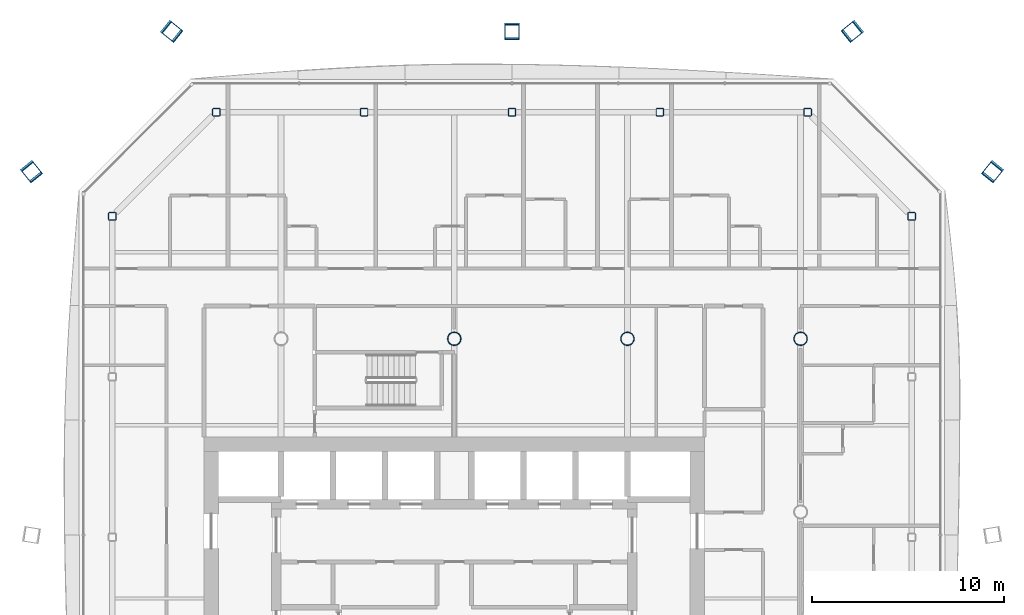
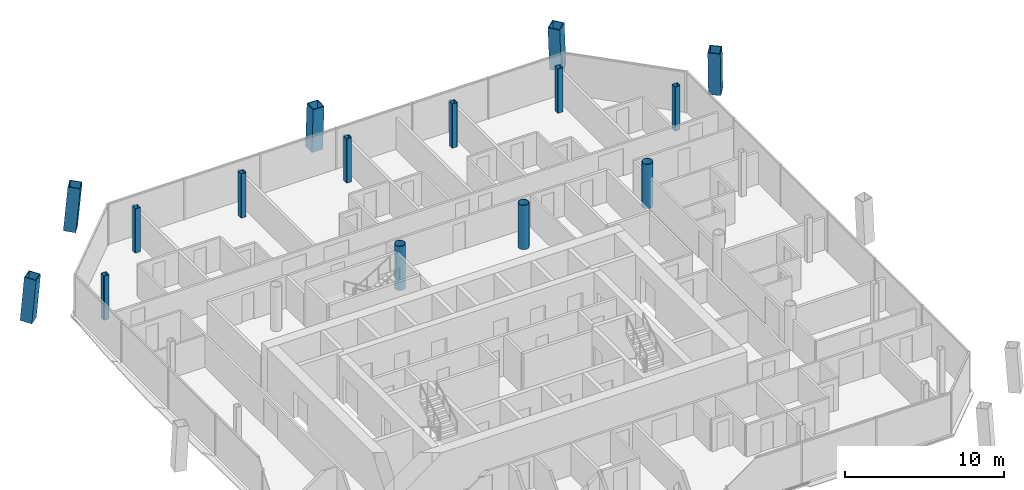
# One storey, part 3 of 21: 15 columns.
"""IFC4 building model written with IfcOpenShell, lengths in metres."""

from ifc_helpers import new_model, si_unit, direction, frame, origin, origin_2d, place, context, subcontext, project, spatial, hollow_rectangle, hollow_circle, extrude, material, material_profile, profile_set, type_object, element, save


model = new_model("IFC4")

# Units and contexts
model_context = context("Model", 3, precision=1e-05, world=origin(), true_north=direction((0.0, 1.0)))
body_context = subcontext(model_context, "Body", "Model", "MODEL_VIEW")
ifc_project = project(units=[si_unit("LENGTHUNIT", "METRE"), si_unit("AREAUNIT", "SQUARE_METRE"), si_unit("VOLUMEUNIT", "CUBIC_METRE"), si_unit("PLANEANGLEUNIT", "RADIAN"), si_unit("MASSUNIT", "GRAM", prefix="KILO")], contexts=[model_context])

# Site, building, storey
site_placement = place(None, origin())
site = spatial("IfcSite", under=ifc_project, at=site_placement, CompositionType="ELEMENT")
building_placement = place(site_placement, origin())
building = spatial("IfcBuilding", under=site, at=building_placement, Name="Tskaro Facet Tower", CompositionType="ELEMENT")
storey_placement = place(building_placement, frame((0.0, 0.0, 148.699951171875)))
storey = spatial("IfcBuildingStorey", under=building, at=storey_placement, Name="L36", CompositionType="ELEMENT", Elevation=148.699951171875)

# Columns
ifc_material_1 = material(Name="Steel S460M", Category="steel")
ifc_material_profile_1 = material_profile(ifc_material_1, hollow_rectangle(XDim=0.800048828125, YDim=0.800048828125, WallThickness=0.050048828125, at=origin_2d()), Name="BOX 800x800x50")
ifc_profile_set_1 = profile_set([ifc_material_profile_1], Name="Steel S460M")
column_type_1 = type_object("IfcColumnType", Name="BOX 800x800x50 mega column", PredefinedType="COLUMN", material=ifc_profile_set_1)
for number, where, z_axis, x_axis, name in (
    (1, (28.006103515625, 17.72509765625, 0.0), (-0.053370832258, -0.066248512963, 0.996374773263), (0.778731084135, -0.627357871236, 0.0), "BOX 800x800x50 MC06/3"),
    (2, (20.72509765625, 25.006103515625, 0.0), (-0.066248512963, -0.053370832258, 0.996374773263), (0.627357871236, -0.778731084135, 0.0), "BOX 800x800x50 MC07/3"),
):
    element("IfcColumn", number, at=place(storey_placement, frame(where, z_axis=z_axis, x_axis=x_axis)), inside=storey, type_object=column_type_1, Name=name, PredefinedType="COLUMN", context=body_context, shape_type="SweptSolid", body=[
        extrude(hollow_rectangle(XDim=0.800048828125, YDim=0.800048828125, WallThickness=0.050048828125, at=origin_2d()), origin(), (0.0, 0.0, 1.0), 3.41259765625),
    ])
column_placement = place(storey_placement, frame((3.0, 25.006103515625, 0.0), z_axis=(0.0, -0.053488337888, 0.998568474222), x_axis=(1.0, 0.0, 0.0)))
element("IfcColumn", 3, at=column_placement, inside=storey, type_object=column_type_1, Name="BOX 800x800x50 MC08/3", PredefinedType="COLUMN", context=body_context, shape_type="SweptSolid", body=[
    extrude(hollow_rectangle(XDim=0.800048828125, YDim=0.800048828125, WallThickness=0.050048828125, at=origin_2d()), origin(), (0.0, 0.0, 1.0), 3.405029296875),
])
for number, where, z_axis, x_axis, name in (
    (4, (-14.72509765625, 25.006103515625, 0.0), (0.066248512963, -0.053370832258, 0.996374773263), (0.627357871236, 0.778731084135, 0.0), "BOX 800x800x50 MC09/3"),
    (5, (-22.006103515625, 17.72509765625, 0.0), (0.053370832258, -0.066248512963, 0.996374773263), (0.778731084135, 0.627357871236, 0.0), "BOX 800x800x50 MC10/3"),
):
    element("IfcColumn", number, at=place(storey_placement, frame(where, z_axis=z_axis, x_axis=x_axis)), inside=storey, type_object=column_type_1, Name=name, PredefinedType="COLUMN", context=body_context, shape_type="SweptSolid", body=[
        extrude(hollow_rectangle(XDim=0.800048828125, YDim=0.800048828125, WallThickness=0.050048828125, at=origin_2d()), origin(), (0.0, 0.0, 1.0), 3.41259765625),
    ])
ifc_material_2 = material(Name="Steel S355J2H", Category="steel")
ifc_material_profile_2 = material_profile(ifc_material_2, hollow_circle(Radius=0.35546875, WallThickness=0.031982421875, at=origin_2d()), Name="CHS 711x32")
ifc_profile_set_2 = profile_set([ifc_material_profile_2], Name="Steel S355J2H")
column_type_2 = type_object("IfcColumnType", Name="CHS 711x32 interior column", PredefinedType="COLUMN", material=ifc_profile_set_2)
for number, where, z_axis, x_axis, name in (
    (6, (0.0, 9.0, 0.0), (0.0, 0.0, 1.0), (1.0, 0.0, 0.0), "CHS 711x32 C4E/3"),
    (7, (9.0, 9.0, 0.0), (0.0, 0.0, 1.0), (1.0, 0.0, 0.0), "CHS 711x32 C5E/3"),
    (8, (18.0, 9.0, 0.0), (0.0, 0.0, 1.0), (1.0, 0.0, 0.0), "CHS 711x32 C6E/3"),
):
    element("IfcColumn", number, at=place(storey_placement, frame(where, z_axis=z_axis, x_axis=x_axis)), inside=storey, type_object=column_type_2, Name=name, PredefinedType="COLUMN", context=body_context, shape_type="SweptSolid", body=[
        extrude(hollow_circle(Radius=0.35546875, WallThickness=0.031982421875, at=origin_2d()), origin(), (0.0, 0.0, 1.0), 3.400146484375),
    ])
ifc_material_profile_3 = material_profile(ifc_material_2, hollow_rectangle(XDim=0.39990234375, YDim=0.39990234375, WallThickness=0.02001953125, InnerFilletRadius=0.030029296875, OuterFilletRadius=0.050048828125, at=origin_2d()), Name="SHS 400x400x20")
ifc_profile_set_3 = profile_set([ifc_material_profile_3], Name="Steel S355J2H")
column_type_3 = type_object("IfcColumnType", Name="SHS 400x400x20 ring column", PredefinedType="COLUMN", material=ifc_profile_set_3)
for number, where, z_axis, x_axis, name in (
    (9, (23.77392578125, 15.367919921875, 0.0), (0.0, 0.0, 1.0), (1.0, 0.0, 0.0), "SHS 400x400x20 RNE-1/3"),
    (10, (18.367919921875, 20.77392578125, 0.0), (0.0, 0.0, 1.0), (1.0, 0.0, 0.0), "SHS 400x400x20 RN-1/3"),
    (11, (10.68408203125, 20.77392578125, 0.0), (0.0, 0.0, 1.0), (1.0, 0.0, 0.0), "SHS 400x400x20 RN-2/3"),
    (12, (3.0, 20.77392578125, 0.0), (0.0, 0.0, 1.0), (1.0, 0.0, 0.0), "SHS 400x400x20 RN-3/3"),
    (13, (-4.68408203125, 20.77392578125, 0.0), (0.0, 0.0, 1.0), (1.0, 0.0, 0.0), "SHS 400x400x20 RN-4/3"),
    (14, (-12.367919921875, 20.77392578125, 0.0), (0.0, 0.0, 1.0), (1.0, 0.0, 0.0), "SHS 400x400x20 RNW-1/3"),
    (15, (-17.77392578125, 15.367919921875, 0.0), (0.0, 0.0, 1.0), (1.0, 0.0, 0.0), "SHS 400x400x20 RW-1/3"),
):
    element("IfcColumn", number, at=place(storey_placement, frame(where, z_axis=z_axis, x_axis=x_axis)), inside=storey, type_object=column_type_3, Name=name, PredefinedType="COLUMN", context=body_context, shape_type="SweptSolid", body=[
        extrude(hollow_rectangle(XDim=0.39990234375, YDim=0.39990234375, WallThickness=0.02001953125, InnerFilletRadius=0.030029296875, OuterFilletRadius=0.050048828125, at=origin_2d()), origin(), (0.0, 0.0, 1.0), 3.400146484375),
    ])

save(model, "model.ifc")
